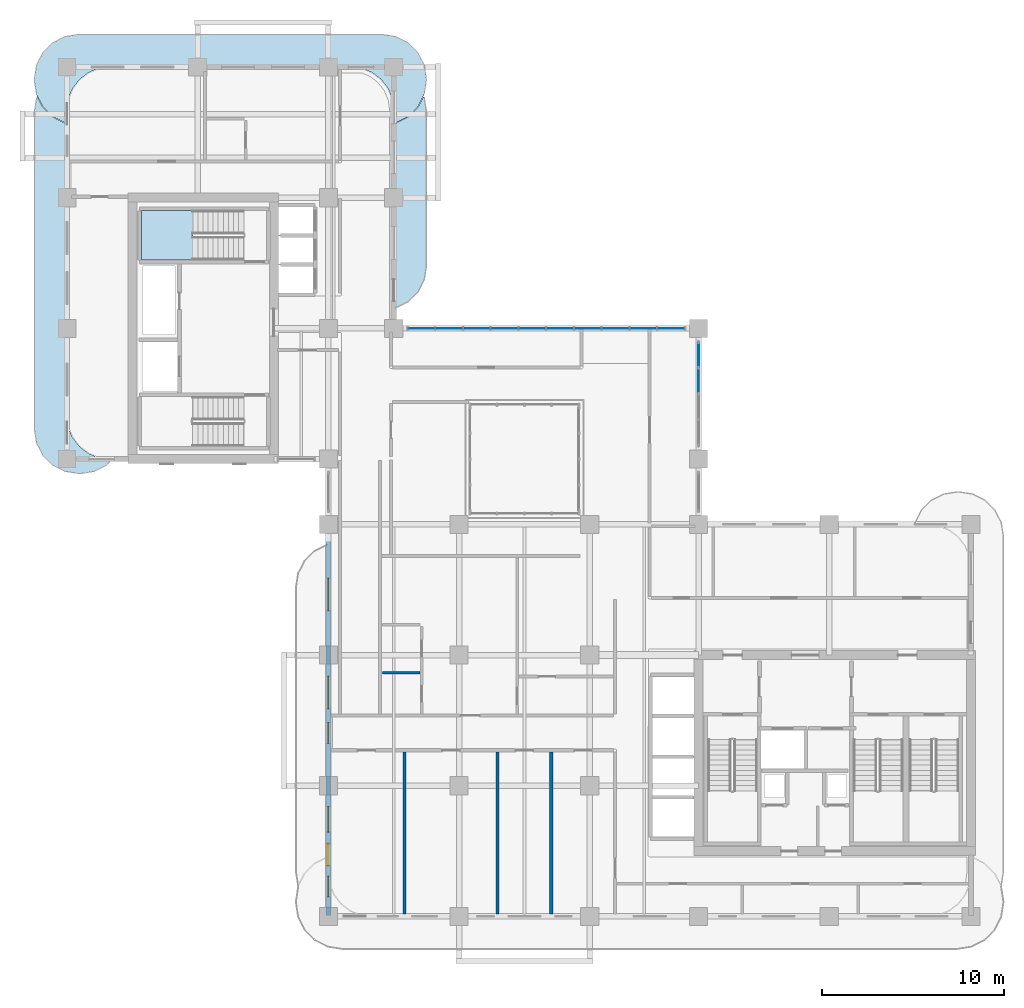
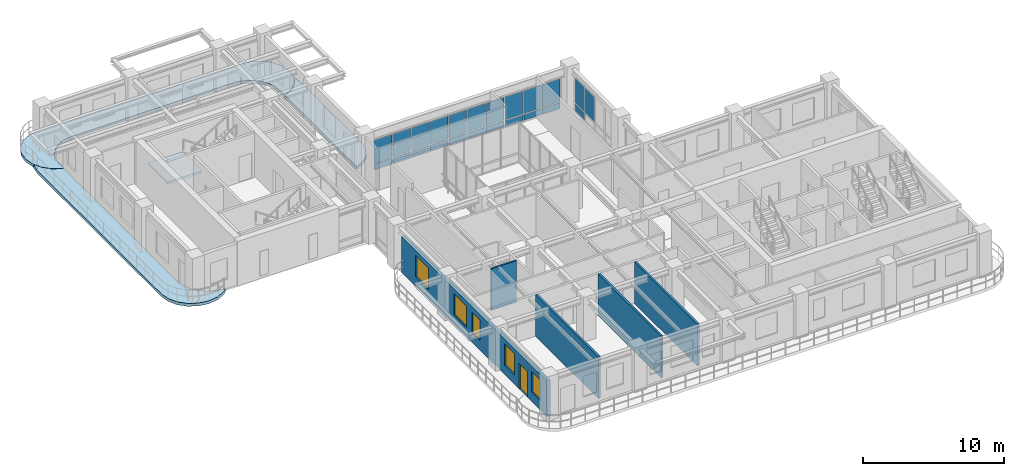
# One storey, part 10 of 21: 23 plates, 5 walls, 5 windows, 4 slabs, 1 door, 6 openings, 3 elements without a shape of their own.
"""IFC4 building model written with IfcOpenShell, lengths in metres."""

import ifcopenshell
import ifcopenshell.guid

model = None  # the IFC model being written
_history = None  # IfcOwnerHistory: only IFC2X3 demands one
_inside = {}  # id of a spatial element -> (the spatial element, [elements in it])
_under = {}  # id of a project, library or spatial element -> (it, [spatial elements below it])
_declared = {}  # id of a project -> (the project, [libraries it declares])
_typed = {}  # id of a type object -> (the type object, [elements of that type])
_made_of = {}  # id of a material, layer set ... -> (it, [elements and type objects made of it])


def new_model(schema):
    """Start an empty IFC model of exactly this schema.

    Asked for "IFC4X3", IfcOpenShell would pick the latest addendum, in which some entities
    have other attributes; the version numbers below select the first issue.
    IFC2X3 requires an IfcOwnerHistory on every rooted entity: one is made here for all.
    """
    global model, _history
    if schema == "IFC4X3":
        model = ifcopenshell.file(schema_version=(4, 3, 0, 0))
    else:
        model = ifcopenshell.file(schema=schema)
    _inside.clear()
    _under.clear()
    _declared.clear()
    _typed.clear()
    _made_of.clear()
    _history = None
    if model.schema == "IFC2X3":
        org = make("IfcOrganization", Name="unknown")
        user = make(
            "IfcPersonAndOrganization",
            ThePerson=make("IfcPerson", FamilyName="unknown"),
            TheOrganization=org,
        )
        app = make(
            "IfcApplication",
            ApplicationDeveloper=org,
            Version="unknown",
            ApplicationFullName="unknown",
            ApplicationIdentifier="unknown",
        )
        _history = make(
            "IfcOwnerHistory",
            OwningUser=user,
            OwningApplication=app,
            ChangeAction="ADDED",
            CreationDate=0,
        )
    return model


def make(cls, **values):
    """One entity of the class cls with the attributes given. An attribute that is None is left unset."""
    return model.create_entity(
        cls, **{name: value for name, value in values.items() if value is not None}
    )


def rooted(cls, **values):
    """An entity with a GlobalId (a new one), such as an element, a storey or a relation."""
    return make(cls, GlobalId=ifcopenshell.guid.new(), OwnerHistory=_history, **values)


def si_unit(unit_type, name, prefix=None):
    """IfcSIUnit, for example si_unit("LENGTHUNIT", "METRE", prefix="MILLI")."""
    return make("IfcSIUnit", UnitType=unit_type, Prefix=prefix, Name=name)


def derived_unit(unit_type, elements):
    """IfcDerivedUnit: a product of units, each with its exponent."""
    return make(
        "IfcDerivedUnit",
        Elements=[
            make("IfcDerivedUnitElement", Unit=unit, Exponent=power)
            for unit, power in elements
        ],
        UnitType=unit_type,
    )


def assignment(units):
    """IfcUnitAssignment: the units of a project."""
    return None if units is None else make("IfcUnitAssignment", Units=units)


def point(xyz):
    """IfcCartesianPoint."""
    return None if xyz is None else make("IfcCartesianPoint", Coordinates=xyz)


def direction(xyz):
    """IfcDirection."""
    return None if xyz is None else make("IfcDirection", DirectionRatios=xyz)


def frame(location, z_axis=None, x_axis=None):
    """IfcAxis2Placement3D, a coordinate frame: its origin and axes. An axis left out is left unset."""
    return make(
        "IfcAxis2Placement3D",
        Location=point(location),
        Axis=direction(z_axis),
        RefDirection=direction(x_axis),
    )


def frame_2d(location, x_axis=None):
    """IfcAxis2Placement2D, a coordinate frame in the plane: its origin and x axis."""
    return make(
        "IfcAxis2Placement2D", Location=point(location), RefDirection=direction(x_axis)
    )


def origin():
    """The frame at (0, 0, 0) with its axes left unset."""
    return frame((0.0, 0.0, 0.0))


def origin_2d():
    """The frame at (0, 0) in the plane with its x axis left unset."""
    return frame_2d((0.0, 0.0))


def place(relative_to, where):
    """IfcLocalPlacement: puts the frame where relative to a parent placement (None: the world)."""
    return make(
        "IfcLocalPlacement", PlacementRelTo=relative_to, RelativePlacement=where
    )


def context(
    kind, dimensions, precision=None, world=None, true_north=None, identifier=None
):
    """IfcGeometricRepresentationContext, for example the 3D "Model" context."""
    return make(
        "IfcGeometricRepresentationContext",
        ContextIdentifier=identifier,
        ContextType=kind,
        CoordinateSpaceDimension=dimensions,
        Precision=precision,
        WorldCoordinateSystem=world,
        TrueNorth=true_north,
    )


def subcontext(parent, identifier, kind, view, scale=None):
    """IfcGeometricRepresentationSubContext, for example "Body" below "Model"."""
    return make(
        "IfcGeometricRepresentationSubContext",
        ContextIdentifier=identifier,
        ContextType=kind,
        ParentContext=parent,
        TargetScale=scale,
        TargetView=view,
    )


def project(units=None, contexts=None):
    """IfcProject with its units and contexts."""
    return rooted(
        "IfcProject",
        Name="project",
        RepresentationContexts=contexts,
        UnitsInContext=assignment(units),
    )


def spatial(cls, under=None, at=None, **own):
    """A site, building, storey or space (cls), placed at a placement, below another one or the project."""
    s = rooted(cls, ObjectPlacement=at, **own)
    if under is not None:
        _under.setdefault(under.id(), (under, []))[1].append(s)
    return s


def polyline(points):
    """IfcPolyline through the points."""
    return make("IfcPolyline", Points=[point(p) for p in points])


def profile(cls, at=None, kind="AREA", **sizes):
    """A parametric profile (cls). Its sizes go by their IFC names, for example OverallWidth=200.0."""
    return make(cls, ProfileType=kind, Position=at, **sizes)


def rectangle(**sizes):
    """IfcRectangleProfileDef."""
    return profile("IfcRectangleProfileDef", **sizes)


def outline(outer, holes=None, kind="AREA"):
    """IfcArbitraryClosedProfileDef: a profile drawn as a closed curve; with holes, ...WithVoids."""
    if holes is None:
        return make("IfcArbitraryClosedProfileDef", ProfileType=kind, OuterCurve=outer)
    return make(
        "IfcArbitraryProfileDefWithVoids",
        ProfileType=kind,
        OuterCurve=outer,
        InnerCurves=holes,
    )


def extrude(swept, where, along, depth):
    """IfcExtrudedAreaSolid: the profile swept, set in the frame where, extruded along a direction by depth."""
    return make(
        "IfcExtrudedAreaSolid",
        SweptArea=swept,
        Position=where,
        ExtrudedDirection=direction(along),
        Depth=depth,
    )


def shape(context_of_items, identifier, shape_type, items):
    """IfcShapeRepresentation: the items that make up one representation, for example the "Body"."""
    return make(
        "IfcShapeRepresentation",
        ContextOfItems=context_of_items,
        RepresentationIdentifier=identifier,
        RepresentationType=shape_type,
        Items=items,
    )


def source(mapping_origin, context_of_items, identifier, shape_type, items):
    """IfcRepresentationMap: a shape defined once, which mapped items show again and again."""
    return make(
        "IfcRepresentationMap",
        MappingOrigin=mapping_origin,
        MappedRepresentation=shape(context_of_items, identifier, shape_type, items),
    )


def transform(
    local_origin,
    x_axis=None,
    y_axis=None,
    z_axis=None,
    scale=None,
    scale2=None,
    scale3=None,
    uniform=True,
):
    """IfcCartesianTransformationOperator3D, or its non-uniform kind. x_axis, y_axis, z_axis: its Axis1, 2, 3."""
    if uniform:
        return make(
            "IfcCartesianTransformationOperator3D",
            Axis1=direction(x_axis),
            Axis2=direction(y_axis),
            LocalOrigin=point(local_origin),
            Scale=scale,
            Axis3=direction(z_axis),
        )
    return make(
        "IfcCartesianTransformationOperator3DnonUniform",
        Axis1=direction(x_axis),
        Axis2=direction(y_axis),
        LocalOrigin=point(local_origin),
        Scale=scale,
        Axis3=direction(z_axis),
        Scale2=scale2,
        Scale3=scale3,
    )


def mapped(mapping_source, mapping_target):
    """IfcMappedItem: shows the shape of a source again, moved by a transform."""
    return make(
        "IfcMappedItem", MappingSource=mapping_source, MappingTarget=mapping_target
    )


def material(Name=None, Category=None):
    """IfcMaterial."""
    return make("IfcMaterial", Name=Name, Category=Category)


def layer(
    of_material, thickness, ventilated=None, Name=None, Category=None, Priority=None
):
    """IfcMaterialLayer: one layer of a wall or slab, of a material (None: an air gap)."""
    return make(
        "IfcMaterialLayer",
        Material=of_material,
        LayerThickness=thickness,
        IsVentilated=ventilated,
        Name=Name,
        Category=Category,
        Priority=Priority,
    )


def layer_set(layers, Name=None):
    """IfcMaterialLayerSet."""
    return make("IfcMaterialLayerSet", MaterialLayers=layers, LayerSetName=Name)


def made_of(thing, what):
    """Note that an element or type object is made of a material, layer set ...; save() writes the relation."""
    if what is not None:
        _made_of.setdefault(what.id(), (what, []))[1].append(thing)
    return thing


def type_object(cls, material=None, **own):
    """A type object (cls), such as IfcWallType, which elements share."""
    return made_of(rooted(cls, **own), material)


def type_shapes(of_type, sources):
    """Give a type object the sources (RepresentationMaps) that its elements show as mapped items."""
    of_type.RepresentationMaps = sources


def element(
    cls,
    number,
    at=None,
    inside=None,
    cuts=None,
    type_object=None,
    material=None,
    context=None,
    identifier="Body",
    shape_type=None,
    held_by="IfcProductDefinitionShape",
    body=None,
    shapes=None,
    **own,
):
    """One element of the class cls, such as IfcWall. Its Tag is "e" and its number.

    at: its placement. inside: the storey or other place that contains it. cuts: it is an
    opening in that element (IfcRelVoidsElement). A single representation is given by context,
    identifier, shape_type and body (its items); several are given by shapes. held_by: the class
    of the entity that holds the representations. save() writes the other relations.
    """
    e = rooted(cls, Tag="e%d" % number, ObjectPlacement=at, **own)
    if body is not None:
        shapes = [shape(context, identifier, shape_type, body)]
    if shapes is not None:
        e.Representation = make(held_by, Representations=shapes)
    if inside is not None:
        _inside.setdefault(inside.id(), (inside, []))[1].append(e)
    if cuts is not None:
        rooted(
            "IfcRelVoidsElement", RelatingBuildingElement=cuts, RelatedOpeningElement=e
        )
    if type_object is not None:
        _typed.setdefault(type_object.id(), (type_object, []))[1].append(e)
    return made_of(e, material)


def fill(opening, filler):
    """IfcRelFillsElement: the door or window that sits in an opening."""
    return rooted(
        "IfcRelFillsElement",
        RelatingOpeningElement=opening,
        RelatedBuildingElement=filler,
    )


def aggregate(whole, parts):
    """IfcRelAggregates: a whole, such as a stair, and the parts it consists of."""
    return rooted("IfcRelAggregates", RelatingObject=whole, RelatedObjects=parts)


def save(model, path):
    """Write the relations noted so far, then the file.

    IfcRelAggregates (storeys below a building ...), IfcRelContainedInSpatialStructure (elements
    in a storey), IfcRelDefinesByType, IfcRelAssociatesMaterial and IfcRelDeclares: one each for
    every whole, place, type object, material and project.
    """
    for whole, parts in _under.values():
        aggregate(whole, parts)
    for where, things in _inside.values():
        rooted(
            "IfcRelContainedInSpatialStructure",
            RelatedElements=things,
            RelatingStructure=where,
        )
    for kind, things in _typed.values():
        rooted("IfcRelDefinesByType", RelatedObjects=things, RelatingType=kind)
    for what, things in _made_of.values():
        rooted("IfcRelAssociatesMaterial", RelatedObjects=things, RelatingMaterial=what)
    for by, libraries in _declared.values():
        rooted("IfcRelDeclares", RelatingContext=by, RelatedDefinitions=libraries)
    model.write(path)


model = new_model("IFC4")

# Units and contexts
model_context = context("Model", 3, precision=1e-05, world=origin(), true_north=direction((0.0, 1.0)))
body_context = subcontext(model_context, "Body", "Model", "MODEL_VIEW")
ifc_project = project(units=[si_unit("LENGTHUNIT", "METRE"), si_unit("AREAUNIT", "SQUARE_METRE"), si_unit("VOLUMEUNIT", "CUBIC_METRE"), si_unit("PLANEANGLEUNIT", "RADIAN"), si_unit("MASSUNIT", "GRAM", prefix="KILO"), si_unit("THERMODYNAMICTEMPERATUREUNIT", "KELVIN"), si_unit("POWERUNIT", "WATT"), derived_unit("THERMALTRANSMITTANCEUNIT", [(si_unit("POWERUNIT", "WATT"), 1), (si_unit("AREAUNIT", "SQUARE_METRE"), -1), (si_unit("THERMODYNAMICTEMPERATUREUNIT", "KELVIN"), -1)])], contexts=[model_context])

# Site, building, storey
site_placement = place(None, origin())
site = spatial("IfcSite", under=ifc_project, at=site_placement, CompositionType="ELEMENT")
building_placement = place(site_placement, origin())
building = spatial("IfcBuilding", under=site, at=building_placement, Name="Zahravan Archway Hotel and Residences", CompositionType="ELEMENT")
storey_placement = place(building_placement, frame((0.0, 0.0, 165.699951171875)))
storey = spatial("IfcBuildingStorey", under=building, at=storey_placement, Name="L41", CompositionType="ELEMENT", Elevation=165.699951171875)

# Slabs
ifc_material_1 = material(Name="Concrete C45/55", Category="concrete")
ifc_layer_1 = layer(ifc_material_1, 0.25, Name="Concrete C45/55", Category="concrete")
ifc_layer_set_1 = layer_set([ifc_layer_1], Name="Concrete C45/55")
slab_type_1 = type_object("IfcSlabType", Name="SLB-BALC-250", PredefinedType="FLOOR", material=ifc_layer_set_1)
slab_1_placement = place(storey_placement, frame((0.0, 0.0, -0.25)))
element("IfcSlab", 1, at=slab_1_placement, inside=storey, type_object=slab_type_1, Name="L41 Wing B North Rounded Balcony Band", PredefinedType="FLOOR", context=body_context, shape_type="SweptSolid", body=[
    extrude(outline(polyline([(-0.107177734375, 43.719970703125), (-0.7900390625, 44.06787109375), (-1.33203125, 44.60986328125), (-1.68017578125, 45.29296875), (-1.800048828125, 46.050048828125), (-1.800048828125, 46.14990234375), (-1.68017578125, 46.906982421875), (-1.33203125, 47.590087890625), (-0.7900390625, 48.132080078125), (-0.107177734375, 48.47998046875), (0.64990234375, 48.60009765625), (17.35009765625, 48.60009765625), (18.107177734375, 48.47998046875), (18.7900390625, 48.132080078125), (19.33203125, 47.590087890625), (19.68017578125, 46.906982421875), (19.800048828125, 46.14990234375), (19.800048828125, 46.050048828125), (19.68017578125, 45.29296875), (19.33203125, 44.60986328125), (18.7900390625, 44.06787109375), (18.107177734375, 43.719970703125), (18.02001953125, 43.7060546875), (18.02001953125, 44.39990234375), (18.019775390625, 44.402587890625), (17.93798828125, 45.023681640625), (17.937744140625, 45.025390625), (17.937255859375, 45.027099609375), (17.936767578125, 45.02880859375), (17.697021484375, 45.607666015625), (17.6962890625, 45.609130859375), (17.6953125, 45.610595703125), (17.6943359375, 45.6123046875), (17.31298828125, 46.109375), (17.311767578125, 46.110595703125), (17.310546875, 46.11181640625), (17.309326171875, 46.113037109375), (16.812255859375, 46.494384765625), (16.810791015625, 46.495361328125), (16.80908203125, 46.49609375), (16.8076171875, 46.4970703125), (16.22900390625, 46.73681640625), (16.227294921875, 46.7373046875), (16.2255859375, 46.73779296875), (16.223876953125, 46.738037109375), (15.6025390625, 46.81982421875), (15.60009765625, 46.820068359375), (2.39990234375, 46.820068359375), (2.3974609375, 46.81982421875), (1.776123046875, 46.738037109375), (1.7744140625, 46.73779296875), (1.772705078125, 46.7373046875), (1.77099609375, 46.73681640625), (1.1923828125, 46.4970703125), (1.19091796875, 46.49609375), (1.189208984375, 46.495361328125), (1.187744140625, 46.494384765625), (0.690673828125, 46.113037109375), (0.689453125, 46.11181640625), (0.688232421875, 46.110595703125), (0.68701171875, 46.109375), (0.3056640625, 45.6123046875), (0.3046875, 45.610595703125), (0.3037109375, 45.609130859375), (0.302978515625, 45.607666015625), (0.063232421875, 45.02880859375), (0.062744140625, 45.027099609375), (0.062255859375, 45.025390625), (0.06201171875, 45.023681640625), (-0.019775390625, 44.402587890625), (-0.02001953125, 44.39990234375), (-0.02001953125, 43.7060546875), (-0.107177734375, 43.719970703125)])), origin(), (0.0, 0.0, 1.0), 0.25),
])
slab_2_placement = place(storey_placement, frame((0.0, 0.0, -0.25)))
element("IfcSlab", 2, at=slab_2_placement, inside=storey, type_object=slab_type_1, Name="L41 Wing B West Rounded Balcony Band", PredefinedType="FLOOR", context=body_context, shape_type="SweptSolid", body=[
    extrude(outline(polyline([(2.190185546875, 24.867919921875), (1.507080078125, 24.52001953125), (0.75, 24.39990234375), (0.64990234375, 24.39990234375), (-0.107177734375, 24.52001953125), (-0.7900390625, 24.867919921875), (-1.33203125, 25.409912109375), (-1.68017578125, 26.093017578125), (-1.800048828125, 26.85009765625), (-1.800048828125, 44.35009765625), (-1.68017578125, 45.107177734375), (-1.64404296875, 45.177978515625), (-1.349853515625, 44.600830078125), (-1.348876953125, 44.59912109375), (-1.34765625, 44.597412109375), (-1.34619140625, 44.595703125), (-0.80419921875, 44.0537109375), (-0.802734375, 44.052490234375), (-0.801025390625, 44.051025390625), (-0.79931640625, 44.050048828125), (-0.1162109375, 43.7021484375), (-0.1142578125, 43.701171875), (-0.1123046875, 43.70068359375), (-0.110107421875, 43.7001953125), (-0.023193359375, 43.686279296875), (-0.021240234375, 43.68603515625), (-0.02001953125, 43.68603515625), (-0.02001953125, 27.60009765625), (-0.019775390625, 27.597412109375), (0.06201171875, 26.976318359375), (0.062255859375, 26.974609375), (0.062744140625, 26.972900390625), (0.063232421875, 26.97119140625), (0.302978515625, 26.392333984375), (0.3037109375, 26.390869140625), (0.3046875, 26.389404296875), (0.3056640625, 26.3876953125), (0.68701171875, 25.890625), (0.688232421875, 25.889404296875), (0.689453125, 25.88818359375), (0.690673828125, 25.886962890625), (1.187744140625, 25.505615234375), (1.189208984375, 25.504638671875), (1.19091796875, 25.50390625), (1.1923828125, 25.5029296875), (1.77099609375, 25.26318359375), (1.772705078125, 25.2626953125), (1.7744140625, 25.26220703125), (1.776123046875, 25.261962890625), (2.3974609375, 25.18017578125), (2.39990234375, 25.179931640625), (2.502197265625, 25.179931640625), (2.190185546875, 24.867919921875)])), origin(), (0.0, 0.0, 1.0), 0.25),
])
slab_3_placement = place(storey_placement, frame((0.0, 0.0, -0.25)))
element("IfcSlab", 3, at=slab_3_placement, inside=storey, type_object=slab_type_1, Name="L41 Wing B East Rounded Balcony Band", PredefinedType="FLOOR", context=body_context, shape_type="SweptSolid", body=[
    extrude(outline(polyline([(19.68017578125, 45.107177734375), (19.800048828125, 44.35009765625), (19.800048828125, 35.85009765625), (19.68017578125, 35.093017578125), (19.33203125, 34.409912109375), (18.7900390625, 33.867919921875), (18.107177734375, 33.52001953125), (18.02001953125, 33.506103515625), (18.02001953125, 43.68603515625), (18.021240234375, 43.68603515625), (18.023193359375, 43.686279296875), (18.110107421875, 43.7001953125), (18.1123046875, 43.70068359375), (18.1142578125, 43.701171875), (18.1162109375, 43.7021484375), (18.79931640625, 44.050048828125), (18.801025390625, 44.051025390625), (18.802734375, 44.052490234375), (18.80419921875, 44.0537109375), (19.34619140625, 44.595703125), (19.34765625, 44.597412109375), (19.348876953125, 44.59912109375), (19.349853515625, 44.600830078125), (19.64404296875, 45.177978515625), (19.68017578125, 45.107177734375)])), origin(), (0.0, 0.0, 1.0), 0.25),
])

# Stair, slab
ifc_material_2 = material(Name="Concrete C50/60", Category="concrete")
stair_type = type_object("IfcStairType", Name="STR-CORE-1300", PredefinedType="HALF_TURN_STAIR", material=ifc_material_2)
stair_placement = place(storey_placement, origin())
stair = element("IfcStair", 4, at=stair_placement, inside=storey, type_object=stair_type, Name="L41 Core B Exit Stair 2", PredefinedType="HALF_TURN_STAIR")
ifc_layer_2 = layer(ifc_material_2, 0.199951171875, Name="Concrete C50/60", Category="concrete")
ifc_layer_set_2 = layer_set([ifc_layer_2], Name="Concrete C50/60")
slab_type_2 = type_object("IfcSlabType", Name="SLB-LND-200", PredefinedType="LANDING", material=ifc_layer_set_2)
slab_4_placement = place(storey_placement, frame((0.0, 0.0, 1.72509765625)))
slab_4 = element("IfcSlab", 5, at=slab_4_placement, type_object=slab_type_2, Name="ST-B2 landing 1", PredefinedType="LANDING", context=body_context, shape_type="SweptSolid", body=[
    extrude(outline(polyline([(6.929931640625, 38.89990234375), (4.10009765625, 38.89990234375), (4.10009765625, 36.159912109375), (6.929931640625, 36.159912109375), (6.929931640625, 38.89990234375)])), origin(), (0.0, 0.0, 1.0), 0.199951171875),
])
aggregate(stair, [slab_4])

# Curtain wall, plates
ifc_material_3 = material(Name="Bronze-Anodized Unitised Aluminium & Low-E Glass", Category="aluminium")
ifc_layer_3 = layer(ifc_material_3, 0.179931640625, Name="Bronze-Anodized Unitised Aluminium & Low-E Glass", Category="aluminium")
ifc_layer_set_3 = layer_set([ifc_layer_3], Name="Bronze-Anodized Unitised Aluminium & Low-E Glass")
curtain_wall_type = type_object("IfcCurtainWallType", Name="CW-ATR-GLAZ", PredefinedType="NOTDEFINED", material=ifc_layer_set_3)
curtain_wall_1_placement = place(storey_placement, origin())
curtain_wall_1 = element("IfcCurtainWall", 6, at=curtain_wall_1_placement, inside=storey, type_object=curtain_wall_type, Name="L41 Curtain Wall CW-L41-HNG-N-1", PredefinedType="NOTDEFINED")
ifc_material_4 = material(Name="Insulated Terracotta Spandrel Panel", Category="masonry")
ifc_layer_4 = layer(ifc_material_4, 0.0400390625, Name="Insulated Terracotta Spandrel Panel", Category="masonry")
ifc_layer_set_4 = layer_set([ifc_layer_4], Name="Insulated Terracotta Spandrel Panel")
plate_type_1 = type_object("IfcPlateType", Name="CWP-SPN-40", PredefinedType="SHEET", material=ifc_layer_set_4)
shared_shape_1 = source(origin(), body_context, "Body", "SweptSolid", [
    extrude(rectangle(XDim=1.447998046875, YDim=0.0400390625, at=origin_2d()), origin(), (0.0, 0.0, 1.0), 0.5283203125),
])
plate_1_placement = place(storey_placement, frame((19.52392578125, 32.39990234375, 0.10009765625), z_axis=(0.0, 0.0, 1.0), x_axis=(1.0, 0.0, 0.0)))
plate_1 = element("IfcPlate", 7, at=plate_1_placement, type_object=plate_type_1, Name="CW-L41-HNG-N-1 Spandrel Panel 0", PredefinedType="SHEET", context=body_context, shape_type="MappedRepresentation", body=[
    mapped(shared_shape_1, transform((0.0, 0.0, 0.0), scale=1.0)),
])
plate_2_placement = place(storey_placement, frame((21.052001953125, 32.39990234375, 0.10009765625), z_axis=(0.0, 0.0, 1.0), x_axis=(1.0, 0.0, 0.0)))
plate_2 = element("IfcPlate", 8, at=plate_2_placement, type_object=plate_type_1, Name="CW-L41-HNG-N-1 Spandrel Panel 1", PredefinedType="SHEET", context=body_context, shape_type="MappedRepresentation", body=[
    mapped(shared_shape_1, transform((0.0, 0.0, 0.0), scale=1.0)),
])
plate_3_placement = place(storey_placement, frame((22.580078125, 32.39990234375, 0.10009765625), z_axis=(0.0, 0.0, 1.0), x_axis=(1.0, 0.0, 0.0)))
plate_3 = element("IfcPlate", 9, at=plate_3_placement, type_object=plate_type_1, Name="CW-L41-HNG-N-1 Spandrel Panel 2", PredefinedType="SHEET", context=body_context, shape_type="MappedRepresentation", body=[
    mapped(shared_shape_1, transform((0.0, 0.0, 0.0), scale=1.0)),
])
plate_4_placement = place(storey_placement, frame((24.10791015625, 32.39990234375, 0.10009765625), z_axis=(0.0, 0.0, 1.0), x_axis=(1.0, 0.0, 0.0)))
plate_4 = element("IfcPlate", 10, at=plate_4_placement, type_object=plate_type_1, Name="CW-L41-HNG-N-1 Spandrel Panel 3", PredefinedType="SHEET", context=body_context, shape_type="MappedRepresentation", body=[
    mapped(shared_shape_1, transform((0.0, 0.0, 0.0), scale=1.0)),
])
plate_5_placement = place(storey_placement, frame((25.635986328125, 32.39990234375, 0.10009765625), z_axis=(0.0, 0.0, 1.0), x_axis=(1.0, 0.0, 0.0)))
plate_5 = element("IfcPlate", 11, at=plate_5_placement, type_object=plate_type_1, Name="CW-L41-HNG-N-1 Spandrel Panel 4", PredefinedType="SHEET", context=body_context, shape_type="MappedRepresentation", body=[
    mapped(shared_shape_1, transform((0.0, 0.0, 0.0), scale=1.0)),
])
plate_6_placement = place(storey_placement, frame((27.1640625, 32.39990234375, 0.10009765625), z_axis=(0.0, 0.0, 1.0), x_axis=(1.0, 0.0, 0.0)))
plate_6 = element("IfcPlate", 12, at=plate_6_placement, type_object=plate_type_1, Name="CW-L41-HNG-N-1 Spandrel Panel 5", PredefinedType="SHEET", context=body_context, shape_type="MappedRepresentation", body=[
    mapped(shared_shape_1, transform((0.0, 0.0, 0.0), scale=1.0)),
])
plate_7_placement = place(storey_placement, frame((28.69189453125, 32.39990234375, 0.10009765625), z_axis=(0.0, 0.0, 1.0), x_axis=(1.0, 0.0, 0.0)))
plate_7 = element("IfcPlate", 13, at=plate_7_placement, type_object=plate_type_1, Name="CW-L41-HNG-N-1 Spandrel Panel 6", PredefinedType="SHEET", context=body_context, shape_type="MappedRepresentation", body=[
    mapped(shared_shape_1, transform((0.0, 0.0, 0.0), scale=1.0)),
])
plate_8_placement = place(storey_placement, frame((30.219970703125, 32.39990234375, 0.10009765625), z_axis=(0.0, 0.0, 1.0), x_axis=(1.0, 0.0, 0.0)))
plate_8 = element("IfcPlate", 14, at=plate_8_placement, type_object=plate_type_1, Name="CW-L41-HNG-N-1 Spandrel Panel 7", PredefinedType="SHEET", context=body_context, shape_type="MappedRepresentation", body=[
    mapped(shared_shape_1, transform((0.0, 0.0, 0.0), scale=1.0)),
])
plate_9_placement = place(storey_placement, frame((31.748046875, 32.39990234375, 0.10009765625), z_axis=(0.0, 0.0, 1.0), x_axis=(1.0, 0.0, 0.0)))
plate_9 = element("IfcPlate", 15, at=plate_9_placement, type_object=plate_type_1, Name="CW-L41-HNG-N-1 Spandrel Panel 8", PredefinedType="SHEET", context=body_context, shape_type="MappedRepresentation", body=[
    mapped(shared_shape_1, transform((0.0, 0.0, 0.0), scale=1.0)),
])
plate_10_placement = place(storey_placement, frame((33.27587890625, 32.39990234375, 0.10009765625), z_axis=(0.0, 0.0, 1.0), x_axis=(1.0, 0.0, 0.0)))
plate_10 = element("IfcPlate", 16, at=plate_10_placement, type_object=plate_type_1, Name="CW-L41-HNG-N-1 Spandrel Panel 9", PredefinedType="SHEET", context=body_context, shape_type="MappedRepresentation", body=[
    mapped(shared_shape_1, transform((0.0, 0.0, 0.0), scale=1.0)),
])
ifc_material_5 = material(Name="Double-Silver Low-E Insulated Vision Glass", Category="glass")
ifc_layer_5 = layer(ifc_material_5, 0.028076171875, Name="Double-Silver Low-E Insulated Vision Glass", Category="glass")
ifc_layer_set_5 = layer_set([ifc_layer_5], Name="Double-Silver Low-E Insulated Vision Glass")
plate_type_2 = type_object("IfcPlateType", Name="CWP-GLZ-28", PredefinedType="CURTAIN_PANEL", material=ifc_layer_set_5)
shared_shape_2 = source(origin(), body_context, "Body", "SweptSolid", [
    extrude(rectangle(XDim=1.447998046875, YDim=0.028076171875, at=origin_2d()), origin(), (0.0, 0.0, 1.0), 1.9765625),
])
plate_11_placement = place(storey_placement, frame((19.52392578125, 32.39990234375, 0.70849609375), z_axis=(0.0, 0.0, 1.0), x_axis=(1.0, 0.0, 0.0)))
plate_11 = element("IfcPlate", 17, at=plate_11_placement, type_object=plate_type_2, Name="CW-L41-HNG-N-1 Low-E Vision Panel 0", PredefinedType="CURTAIN_PANEL", context=body_context, shape_type="MappedRepresentation", body=[
    mapped(shared_shape_2, transform((0.0, 0.0, 0.0), scale=1.0)),
])
plate_12_placement = place(storey_placement, frame((21.052001953125, 32.39990234375, 0.70849609375), z_axis=(0.0, 0.0, 1.0), x_axis=(1.0, 0.0, 0.0)))
plate_12 = element("IfcPlate", 18, at=plate_12_placement, type_object=plate_type_2, Name="CW-L41-HNG-N-1 Low-E Vision Panel 1", PredefinedType="CURTAIN_PANEL", context=body_context, shape_type="MappedRepresentation", body=[
    mapped(shared_shape_2, transform((0.0, 0.0, 0.0), scale=1.0)),
])
plate_13_placement = place(storey_placement, frame((22.580078125, 32.39990234375, 0.70849609375), z_axis=(0.0, 0.0, 1.0), x_axis=(1.0, 0.0, 0.0)))
plate_13 = element("IfcPlate", 19, at=plate_13_placement, type_object=plate_type_2, Name="CW-L41-HNG-N-1 Low-E Vision Panel 2", PredefinedType="CURTAIN_PANEL", context=body_context, shape_type="MappedRepresentation", body=[
    mapped(shared_shape_2, transform((0.0, 0.0, 0.0), scale=1.0)),
])
plate_14_placement = place(storey_placement, frame((24.10791015625, 32.39990234375, 0.70849609375), z_axis=(0.0, 0.0, 1.0), x_axis=(1.0, 0.0, 0.0)))
plate_14 = element("IfcPlate", 20, at=plate_14_placement, type_object=plate_type_2, Name="CW-L41-HNG-N-1 Low-E Vision Panel 3", PredefinedType="CURTAIN_PANEL", context=body_context, shape_type="MappedRepresentation", body=[
    mapped(shared_shape_2, transform((0.0, 0.0, 0.0), scale=1.0)),
])
plate_15_placement = place(storey_placement, frame((25.635986328125, 32.39990234375, 0.70849609375), z_axis=(0.0, 0.0, 1.0), x_axis=(1.0, 0.0, 0.0)))
plate_15 = element("IfcPlate", 21, at=plate_15_placement, type_object=plate_type_2, Name="CW-L41-HNG-N-1 Low-E Vision Panel 4", PredefinedType="CURTAIN_PANEL", context=body_context, shape_type="MappedRepresentation", body=[
    mapped(shared_shape_2, transform((0.0, 0.0, 0.0), scale=1.0)),
])
plate_16_placement = place(storey_placement, frame((27.1640625, 32.39990234375, 0.70849609375), z_axis=(0.0, 0.0, 1.0), x_axis=(1.0, 0.0, 0.0)))
plate_16 = element("IfcPlate", 22, at=plate_16_placement, type_object=plate_type_2, Name="CW-L41-HNG-N-1 Low-E Vision Panel 5", PredefinedType="CURTAIN_PANEL", context=body_context, shape_type="MappedRepresentation", body=[
    mapped(shared_shape_2, transform((0.0, 0.0, 0.0), scale=1.0)),
])
plate_17_placement = place(storey_placement, frame((28.69189453125, 32.39990234375, 0.70849609375), z_axis=(0.0, 0.0, 1.0), x_axis=(1.0, 0.0, 0.0)))
plate_17 = element("IfcPlate", 23, at=plate_17_placement, type_object=plate_type_2, Name="CW-L41-HNG-N-1 Low-E Vision Panel 6", PredefinedType="CURTAIN_PANEL", context=body_context, shape_type="MappedRepresentation", body=[
    mapped(shared_shape_2, transform((0.0, 0.0, 0.0), scale=1.0)),
])
plate_18_placement = place(storey_placement, frame((30.219970703125, 32.39990234375, 0.70849609375), z_axis=(0.0, 0.0, 1.0), x_axis=(1.0, 0.0, 0.0)))
plate_18 = element("IfcPlate", 24, at=plate_18_placement, type_object=plate_type_2, Name="CW-L41-HNG-N-1 Low-E Vision Panel 7", PredefinedType="CURTAIN_PANEL", context=body_context, shape_type="MappedRepresentation", body=[
    mapped(shared_shape_2, transform((0.0, 0.0, 0.0), scale=1.0)),
])
plate_19_placement = place(storey_placement, frame((31.748046875, 32.39990234375, 0.70849609375), z_axis=(0.0, 0.0, 1.0), x_axis=(1.0, 0.0, 0.0)))
plate_19 = element("IfcPlate", 25, at=plate_19_placement, type_object=plate_type_2, Name="CW-L41-HNG-N-1 Low-E Vision Panel 8", PredefinedType="CURTAIN_PANEL", context=body_context, shape_type="MappedRepresentation", body=[
    mapped(shared_shape_2, transform((0.0, 0.0, 0.0), scale=1.0)),
])
plate_20_placement = place(storey_placement, frame((33.27587890625, 32.39990234375, 0.70849609375), z_axis=(0.0, 0.0, 1.0), x_axis=(1.0, 0.0, 0.0)))
plate_20 = element("IfcPlate", 26, at=plate_20_placement, type_object=plate_type_2, Name="CW-L41-HNG-N-1 Low-E Vision Panel 9", PredefinedType="CURTAIN_PANEL", context=body_context, shape_type="MappedRepresentation", body=[
    mapped(shared_shape_2, transform((0.0, 0.0, 0.0), scale=1.0)),
])
aggregate(curtain_wall_1, [plate_1, plate_11, plate_2, plate_12, plate_3, plate_13, plate_4, plate_14, plate_5, plate_15, plate_6, plate_16, plate_7, plate_17, plate_8, plate_18, plate_9, plate_19, plate_10, plate_20])

curtain_wall_2_placement = place(storey_placement, origin())
curtain_wall_2 = element("IfcCurtainWall", 27, at=curtain_wall_2_placement, inside=storey, type_object=curtain_wall_type, Name="L41 Curtain Wall CW-L41-HNG-E-2", PredefinedType="NOTDEFINED")
shared_shape_3 = source(origin(), body_context, "Body", "SweptSolid", [
    extrude(rectangle(XDim=1.340087890625, YDim=0.0400390625, at=origin_2d()), origin(), (0.0, 0.0, 1.0), 0.600341796875),
])
plate_21_placement = place(storey_placement, frame((34.800048828125, 30.929931640625, 0.10009765625), z_axis=(0.0, 0.0, 1.0), x_axis=(0.0, 1.0, 0.0)))
plate_21 = element("IfcPlate", 28, at=plate_21_placement, type_object=plate_type_1, Name="CW-L41-HNG-E-2 Spandrel Panel 3", PredefinedType="SHEET", context=body_context, shape_type="MappedRepresentation", body=[
    mapped(shared_shape_3, transform((0.0, 0.0, 0.0), scale=1.0)),
])
shared_shape_4 = source(origin(), body_context, "Body", "SweptSolid", [
    extrude(rectangle(XDim=1.340087890625, YDim=0.028076171875, at=origin_2d()), origin(), (0.0, 0.0, 1.0), 2.20458984375),
])
plate_22_placement = place(storey_placement, frame((34.800048828125, 29.510009765625, 0.780517578125), z_axis=(0.0, 0.0, 1.0), x_axis=(0.0, 1.0, 0.0)))
plate_22 = element("IfcPlate", 29, at=plate_22_placement, type_object=plate_type_2, Name="CW-L41-HNG-E-2 Low-E Vision Panel 2", PredefinedType="CURTAIN_PANEL", context=body_context, shape_type="MappedRepresentation", body=[
    mapped(shared_shape_4, transform((0.0, 0.0, 0.0), scale=1.0)),
])
plate_23_placement = place(storey_placement, frame((34.800048828125, 30.929931640625, 0.780517578125), z_axis=(0.0, 0.0, 1.0), x_axis=(0.0, 1.0, 0.0)))
plate_23 = element("IfcPlate", 30, at=plate_23_placement, type_object=plate_type_2, Name="CW-L41-HNG-E-2 Low-E Vision Panel 3", PredefinedType="CURTAIN_PANEL", context=body_context, shape_type="MappedRepresentation", body=[
    mapped(shared_shape_4, transform((0.0, 0.0, 0.0), scale=1.0)),
])
aggregate(curtain_wall_2, [plate_22, plate_21, plate_23])

# Wall, openings, door, windows
ifc_material_6 = material(Name="Honed Red-Ochre Sandstone & Insulated Block", Category="masonry")
ifc_layer_6 = layer(ifc_material_6, 0.280029296875, Name="Honed Red-Ochre Sandstone & Insulated Block", Category="masonry")
ifc_layer_set_6 = layer_set([ifc_layer_6], Name="Honed Red-Ochre Sandstone & Insulated Block")
wall_type_1 = type_object("IfcWallType", Name="EW-LOG-280", PredefinedType="SOLIDWALL", material=ifc_layer_set_6)
wall_1_placement = place(storey_placement, frame((14.39990234375, 0.050048828125, 0.0), z_axis=(0.0, 0.0, 1.0), x_axis=(0.0, 1.0, 0.0)))
wall_1 = element("IfcWall", 31, at=wall_1_placement, inside=storey, type_object=wall_type_1, Name="L41 Exterior Sandstone Wall WA-WL", PredefinedType="SOLIDWALL", context=body_context, shape_type="SweptSolid", body=[
    extrude(rectangle(XDim=20.599853515625, YDim=0.280029296875, at=frame_2d((10.2998046875, 0.0))), origin(), (0.0, 0.0, 1.0), 3.0849609375),
])
opening_1_placement = place(wall_1_placement, frame((2.75, 0.0, 0.0)))
opening_1 = element("IfcOpeningElement", 32, at=opening_1_placement, cuts=wall_1, Name="Opening ED-BL1", PredefinedType="OPENING", context=body_context, shape_type="SweptSolid", body=[
    extrude(rectangle(XDim=1.199951171875, YDim=2.199951171875, at=frame_2d((0.60009765625, 1.10009765625))), frame((0.0, 0.14990234375, 0.0), z_axis=(0.0, -1.0, 0.0), x_axis=(1.0, 0.0, 0.0)), (0.0, 0.0, 1.0), 0.300048828125),
])
opening_2_placement = place(wall_1_placement, frame((1.02490234375, 0.0, 0.800048828125)))
opening_2 = element("IfcOpeningElement", 33, at=opening_2_placement, cuts=wall_1, Name="Opening W-05", PredefinedType="OPENING", context=body_context, shape_type="SweptSolid", body=[
    extrude(rectangle(XDim=1.14990234375, YDim=1.800048828125, at=frame_2d((0.574951171875, 0.89990234375))), frame((0.0, 0.14990234375, 0.0), z_axis=(0.0, -1.0, 0.0), x_axis=(1.0, 0.0, 0.0)), (0.0, 0.0, 1.0), 0.300048828125),
])
opening_3_placement = place(wall_1_placement, frame((4.60009765625, 0.0, 0.800048828125)))
opening_3 = element("IfcOpeningElement", 34, at=opening_3_placement, cuts=wall_1, Name="Opening W-03", PredefinedType="OPENING", context=body_context, shape_type="SweptSolid", body=[
    extrude(rectangle(XDim=1.39990234375, YDim=1.85009765625, at=frame_2d((0.699951171875, 0.925048828125))), frame((0.0, 0.14990234375, 0.0), z_axis=(0.0, -1.0, 0.0), x_axis=(1.0, 0.0, 0.0)), (0.0, 0.0, 1.0), 0.300048828125),
])
opening_4_placement = place(wall_1_placement, frame((9.485107421875, 0.0, 0.800048828125)))
opening_4 = element("IfcOpeningElement", 35, at=opening_4_placement, cuts=wall_1, Name="Opening W-05", PredefinedType="OPENING", context=body_context, shape_type="SweptSolid", body=[
    extrude(rectangle(XDim=1.14990234375, YDim=1.800048828125, at=frame_2d((0.574951171875, 0.89990234375))), frame((0.0, 0.14990234375, 0.0), z_axis=(0.0, -1.0, 0.0), x_axis=(1.0, 0.0, 0.0)), (0.0, 0.0, 1.0), 0.300048828125),
])
opening_5_placement = place(wall_1_placement, frame((11.388916015625, 0.0, 0.800048828125)))
opening_5 = element("IfcOpeningElement", 36, at=opening_5_placement, cuts=wall_1, Name="Opening W-02", PredefinedType="OPENING", context=body_context, shape_type="SweptSolid", body=[
    extrude(rectangle(XDim=1.800048828125, YDim=1.85009765625, at=frame_2d((0.89990234375, 0.925048828125))), frame((0.0, 0.14990234375, 0.0), z_axis=(0.0, -1.0, 0.0), x_axis=(1.0, 0.0, 0.0)), (0.0, 0.0, 1.0), 0.300048828125),
])
opening_6_placement = place(wall_1_placement, frame((16.7900390625, 0.0, 0.800048828125)))
opening_6 = element("IfcOpeningElement", 37, at=opening_6_placement, cuts=wall_1, Name="Opening W-02", PredefinedType="OPENING", context=body_context, shape_type="SweptSolid", body=[
    extrude(rectangle(XDim=1.800048828125, YDim=1.85009765625, at=frame_2d((0.89990234375, 0.925048828125))), frame((0.0, 0.14990234375, 0.0), z_axis=(0.0, -1.0, 0.0), x_axis=(1.0, 0.0, 0.0)), (0.0, 0.0, 1.0), 0.300048828125),
])
ifc_material_7 = material(Name="Bronze-Anodized Glazed Aluminium", Category="aluminium")
door_type = type_object("IfcDoorType", Name="ED-BALC-1200", OperationType="SLIDING_TO_LEFT", PredefinedType="DOOR", material=ifc_material_7)
shared_shape_5 = source(origin(), body_context, "Body", "SweptSolid", [
    extrude(rectangle(XDim=1.199951171875, YDim=2.199951171875, at=frame_2d((0.60009765625, 1.10009765625))), frame((0.0, 0.02490234375, 0.0), z_axis=(0.0, -1.0, 0.0), x_axis=(1.0, 0.0, 0.0)), (0.0, 0.0, 1.0), 0.050048828125),
])
type_shapes(door_type, [shared_shape_5])
door_placement = place(opening_1_placement, origin())
door = element("IfcDoor", 38, at=door_placement, inside=storey, type_object=door_type, Name="L41 Outdoor Access Sliding Door (SLB-BAL-L41-WA)", OperationType="SLIDING_TO_LEFT", OverallHeight=2.199951171875, OverallWidth=1.199951171875, PredefinedType="DOOR", context=body_context, shape_type="MappedRepresentation", body=[
    mapped(shared_shape_5, transform((0.0, 0.0, 0.0), scale=1.0)),
])
fill(opening_1, door)
ifc_material_8 = material(Name="Bronze-Anodized Thermal-Break Aluminium & Low-E Glass", Category="aluminium")
window_type_1 = type_object("IfcWindowType", Name="WIN-TWR-1400", PartitioningType="SINGLE_PANEL", PredefinedType="WINDOW", material=ifc_material_8)
shared_shape_6 = source(origin(), body_context, "Body", "SweptSolid", [
    extrude(rectangle(XDim=1.39990234375, YDim=1.85009765625, at=frame_2d((0.699951171875, 0.925048828125))), frame((0.0, 0.030029296875, 0.0), z_axis=(0.0, -1.0, 0.0), x_axis=(1.0, 0.0, 0.0)), (0.0, 0.0, 1.0), 0.06005859375),
])
type_shapes(window_type_1, [shared_shape_6])
window_1_placement = place(opening_3_placement, origin())
window_1 = element("IfcWindow", 39, at=window_1_placement, inside=storey, type_object=window_type_1, Name="L41 Loggia Window 17", OverallHeight=1.85009765625, OverallWidth=1.39990234375, PartitioningType="SINGLE_PANEL", PredefinedType="WINDOW", context=body_context, shape_type="MappedRepresentation", body=[
    mapped(shared_shape_6, transform((0.0, 0.0, 0.0), scale=1.0)),
])
fill(opening_3, window_1)
window_type_2 = type_object("IfcWindowType", Name="WIN-TWR-1800", PartitioningType="DOUBLE_PANEL_VERTICAL", PredefinedType="WINDOW", material=ifc_material_8)
shared_shape_7 = source(origin(), body_context, "Body", "SweptSolid", [
    extrude(rectangle(XDim=1.800048828125, YDim=1.85009765625, at=frame_2d((0.89990234375, 0.925048828125))), frame((0.0, 0.030029296875, 0.0), z_axis=(0.0, -1.0, 0.0), x_axis=(1.0, 0.0, 0.0)), (0.0, 0.0, 1.0), 0.06005859375),
])
type_shapes(window_type_2, [shared_shape_7])
window_2_placement = place(opening_5_placement, origin())
window_2 = element("IfcWindow", 40, at=window_2_placement, inside=storey, type_object=window_type_2, Name="L41 Loggia Window 19", OverallHeight=1.85009765625, OverallWidth=1.800048828125, PartitioningType="DOUBLE_PANEL_VERTICAL", PredefinedType="WINDOW", context=body_context, shape_type="MappedRepresentation", body=[
    mapped(shared_shape_7, transform((0.0, 0.0, 0.0), scale=1.0)),
])
fill(opening_5, window_2)
window_3_placement = place(opening_6_placement, origin())
window_3 = element("IfcWindow", 41, at=window_3_placement, inside=storey, type_object=window_type_2, Name="L41 Loggia Window 20", OverallHeight=1.85009765625, OverallWidth=1.800048828125, PartitioningType="DOUBLE_PANEL_VERTICAL", PredefinedType="WINDOW", context=body_context, shape_type="MappedRepresentation", body=[
    mapped(shared_shape_7, transform((0.0, 0.0, 0.0), scale=1.0)),
])
fill(opening_6, window_3)
window_type_3 = type_object("IfcWindowType", Name="WIN-TWR-1150", PartitioningType="SINGLE_PANEL", PredefinedType="WINDOW", material=ifc_material_8)
shared_shape_8 = source(origin(), body_context, "Body", "SweptSolid", [
    extrude(rectangle(XDim=1.14990234375, YDim=1.800048828125, at=frame_2d((0.574951171875, 0.89990234375))), frame((0.0, 0.030029296875, 0.0), z_axis=(0.0, -1.0, 0.0), x_axis=(1.0, 0.0, 0.0)), (0.0, 0.0, 1.0), 0.06005859375),
])
type_shapes(window_type_3, [shared_shape_8])
window_4_placement = place(opening_2_placement, origin())
window_4 = element("IfcWindow", 42, at=window_4_placement, inside=storey, type_object=window_type_3, Name="L41 Loggia Window 16", OverallHeight=1.800048828125, OverallWidth=1.14990234375, PartitioningType="SINGLE_PANEL", PredefinedType="WINDOW", context=body_context, shape_type="MappedRepresentation", body=[
    mapped(shared_shape_8, transform((0.0, 0.0, 0.0), scale=1.0)),
])
fill(opening_2, window_4)
window_5_placement = place(opening_4_placement, origin())
window_5 = element("IfcWindow", 43, at=window_5_placement, inside=storey, type_object=window_type_3, Name="L41 Loggia Window 18", OverallHeight=1.800048828125, OverallWidth=1.14990234375, PartitioningType="SINGLE_PANEL", PredefinedType="WINDOW", context=body_context, shape_type="MappedRepresentation", body=[
    mapped(shared_shape_8, transform((0.0, 0.0, 0.0), scale=1.0)),
])
fill(opening_4, window_5)

# Walls
ifc_material_9 = material(Name="Acoustic Stud Partition")
ifc_layer_7 = layer(ifc_material_9, 0.169921875, Name="Acoustic Stud Partition")
ifc_layer_set_7 = layer_set([ifc_layer_7], Name="Acoustic Stud Partition")
wall_type_2 = type_object("IfcWallType", Name="PW-UNIT-170", PredefinedType="PARTITIONING", material=ifc_layer_set_7)
for number, where, z_axis, x_axis, name in (
    (44, (18.60009765625, 0.14794921875, 0.0), (0.0, 0.0, 1.0), (0.0, 1.0, 0.0), "L41 Partition WAS-DA2-1"),
    (45, (23.719970703125, 0.14794921875, 0.0), (0.0, 0.0, 1.0), (0.0, 1.0, 0.0), "L41 Partition WAS-DA2-2"),
    (46, (26.679931640625, 0.14794921875, 0.0), (0.0, 0.0, 1.0), (0.0, 1.0, 0.0), "L41 Partition WAS-DA2-3"),
):
    element("IfcWall", number, at=place(storey_placement, frame(where, z_axis=z_axis, x_axis=x_axis)), inside=storey, type_object=wall_type_2, Name=name, PredefinedType="PARTITIONING", context=body_context, shape_type="SweptSolid", body=[
        extrude(rectangle(XDim=8.912109375, YDim=0.169921875, at=frame_2d((4.4560546875, 0.0))), origin(), (0.0, 0.0, 1.0), 3.60009765625),
    ])
ifc_material_10 = material(Name="Moisture-Resistant Blockwork", Category="masonry")
ifc_layer_8 = layer(ifc_material_10, 0.139892578125, Name="Moisture-Resistant Blockwork", Category="masonry")
ifc_layer_set_8 = layer_set([ifc_layer_8], Name="Moisture-Resistant Blockwork")
wall_type_3 = type_object("IfcWallType", Name="PW-WET-140", PredefinedType="PARTITIONING", material=ifc_layer_set_8)
wall_2_placement = place(storey_placement, frame((17.389892578125, 13.419921875, 0.0), z_axis=(0.0, 0.0, 1.0), x_axis=(1.0, 0.0, 0.0)))
element("IfcWall", 47, at=wall_2_placement, inside=storey, type_object=wall_type_3, Name="L41 Partition FL-AT1-BM", PredefinedType="PARTITIONING", context=body_context, shape_type="SweptSolid", body=[
    extrude(rectangle(XDim=2.070068359375, YDim=0.139892578125, at=frame_2d((1.03515625, 0.0))), origin(), (0.0, 0.0, 1.0), 3.60009765625),
])

save(model, "model.ifc")
